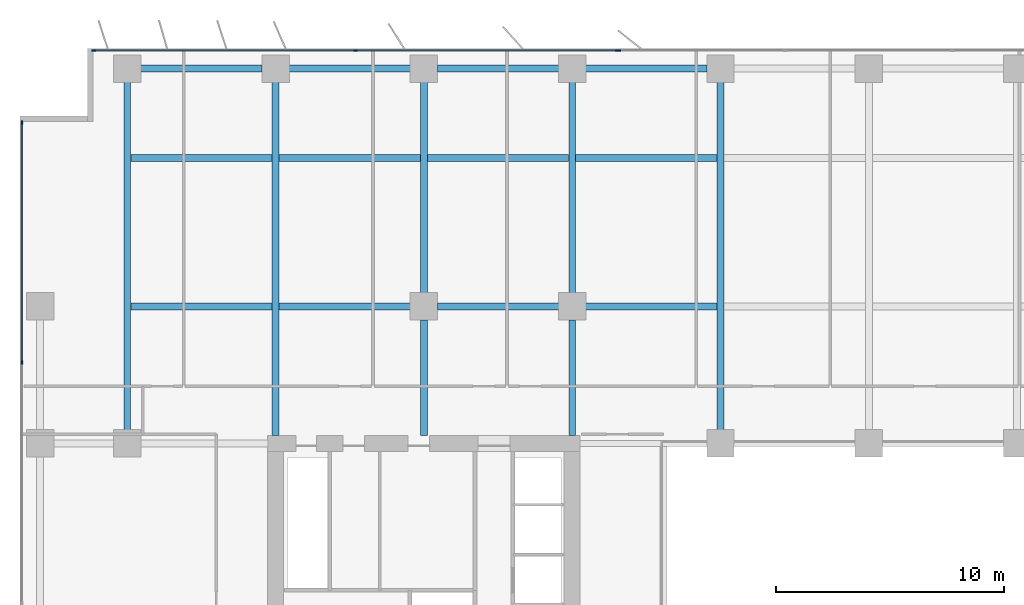
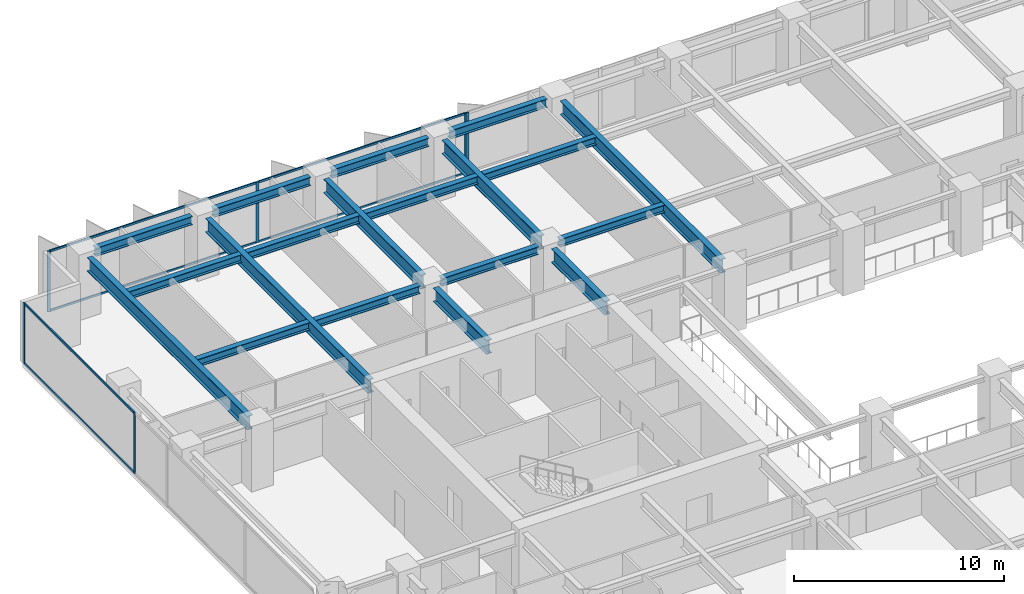
# One storey, part 7 of 20: 19 beams, 12 members, 3 elements without a shape of their own.
"""IFC4 building model written with IfcOpenShell, lengths in metres."""

from ifc_helpers import new_model, si_unit, direction, frame, origin, origin_2d, place, context, subcontext, project, spatial, rectangle, i_section, extrude, material, layer, layer_set, material_profile, profile_set, type_object, element, aggregate, save


model = new_model("IFC4")

# Units and contexts
model_context = context("Model", 3, precision=1e-05, world=origin(), true_north=direction((0.0, 1.0)))
body_context = subcontext(model_context, "Body", "Model", "MODEL_VIEW")
ifc_project = project(units=[si_unit("LENGTHUNIT", "METRE"), si_unit("AREAUNIT", "SQUARE_METRE"), si_unit("VOLUMEUNIT", "CUBIC_METRE"), si_unit("PLANEANGLEUNIT", "RADIAN"), si_unit("MASSUNIT", "GRAM", prefix="KILO")], contexts=[model_context])

# Site, building, storey
site_placement = place(None, origin())
site = spatial("IfcSite", under=ifc_project, at=site_placement, CompositionType="ELEMENT")
building_placement = place(site_placement, origin())
building = spatial("IfcBuilding", under=site, at=building_placement, Name="Putna Gate Headquarters", CompositionType="ELEMENT")
storey_placement = place(building_placement, frame((0.0, 0.0, 135.39990234375)))
storey = spatial("IfcBuildingStorey", under=building, at=storey_placement, Name="L33", CompositionType="ELEMENT", Elevation=135.39990234375)

# Beams
ifc_material_1 = material(Name="Steel S355J2", Category="steel")
ifc_material_profile_1 = material_profile(ifc_material_1, i_section(OverallWidth=0.300048828125, OverallDepth=0.800048828125, WebThickness=0.017578125, FlangeThickness=0.032958984375, at=origin_2d()), Name="Steel S355J2")
ifc_profile_set_1 = profile_set([ifc_material_profile_1], Name="Steel S355J2")
beam_type_1 = type_object("IfcBeamType", Name="BM-GIRD-P-HEB800", PredefinedType="USERDEFINED", material=ifc_profile_set_1)
beam_1_placement = place(storey_placement, frame((6.5, 33.587890625, 3.1201171875), z_axis=(0.0, 1.0, 0.0), x_axis=(-1.0, 0.0, 0.0)))
element("IfcBeam", 1, at=beam_1_placement, inside=storey, type_object=beam_type_1, Name="L33 North Primary Girder X6", ObjectType="GIRDER", PredefinedType="USERDEFINED", context=body_context, shape_type="SweptSolid", body=[
    extrude(i_section(OverallWidth=0.300048828125, OverallDepth=0.800048828125, WebThickness=0.017578125, FlangeThickness=0.032958984375, at=origin_2d()), origin(), (0.0, 0.0, 1.0), 15.244140625),
])
beam_2_placement = place(storey_placement, frame((13.0, 33.3349609375, 3.1201171875), z_axis=(0.0, 1.0, 0.0), x_axis=(-1.0, 0.0, 0.0)))
element("IfcBeam", 2, at=beam_2_placement, inside=storey, type_object=beam_type_1, Name="L33 North Primary Girder X13", ObjectType="GIRDER", PredefinedType="USERDEFINED", context=body_context, shape_type="SweptSolid", body=[
    extrude(i_section(OverallWidth=0.300048828125, OverallDepth=0.800048828125, WebThickness=0.017578125, FlangeThickness=0.032958984375, at=origin_2d()), origin(), (0.0, 0.0, 1.0), 15.4970703125),
])
beam_3_placement = place(storey_placement, frame((19.5, 33.3349609375, 3.1201171875), z_axis=(0.0, 1.0, 0.0), x_axis=(-1.0, 0.0, 0.0)))
element("IfcBeam", 3, at=beam_3_placement, inside=storey, type_object=beam_type_1, Name="L33 North Primary Girder X19-1", ObjectType="GIRDER", PredefinedType="USERDEFINED", context=body_context, shape_type="SweptSolid", body=[
    extrude(i_section(OverallWidth=0.300048828125, OverallDepth=0.800048828125, WebThickness=0.017578125, FlangeThickness=0.032958984375, at=origin_2d()), origin(), (0.0, 0.0, 1.0), 5.0771484375),
])
beam_4_placement = place(storey_placement, frame((19.5, 39.587890625, 3.1201171875), z_axis=(0.0, 1.0, 0.0), x_axis=(-1.0, 0.0, 0.0)))
element("IfcBeam", 4, at=beam_4_placement, inside=storey, type_object=beam_type_1, Name="L33 North Primary Girder X19-2", ObjectType="GIRDER", PredefinedType="USERDEFINED", context=body_context, shape_type="SweptSolid", body=[
    extrude(i_section(OverallWidth=0.300048828125, OverallDepth=0.800048828125, WebThickness=0.017578125, FlangeThickness=0.032958984375, at=origin_2d()), origin(), (0.0, 0.0, 1.0), 9.244140625),
])
beam_5_placement = place(storey_placement, frame((26.0, 33.3349609375, 3.1201171875), z_axis=(0.0, 1.0, 0.0), x_axis=(-1.0, 0.0, 0.0)))
element("IfcBeam", 5, at=beam_5_placement, inside=storey, type_object=beam_type_1, Name="L33 North Primary Girder X26-1", ObjectType="GIRDER", PredefinedType="USERDEFINED", context=body_context, shape_type="SweptSolid", body=[
    extrude(i_section(OverallWidth=0.300048828125, OverallDepth=0.800048828125, WebThickness=0.017578125, FlangeThickness=0.032958984375, at=origin_2d()), origin(), (0.0, 0.0, 1.0), 5.0771484375),
])
beam_6_placement = place(storey_placement, frame((26.0, 39.587890625, 3.1201171875), z_axis=(0.0, 1.0, 0.0), x_axis=(-1.0, 0.0, 0.0)))
element("IfcBeam", 6, at=beam_6_placement, inside=storey, type_object=beam_type_1, Name="L33 North Primary Girder X26-2", ObjectType="GIRDER", PredefinedType="USERDEFINED", context=body_context, shape_type="SweptSolid", body=[
    extrude(i_section(OverallWidth=0.300048828125, OverallDepth=0.800048828125, WebThickness=0.017578125, FlangeThickness=0.032958984375, at=origin_2d()), origin(), (0.0, 0.0, 1.0), 9.244140625),
])
beam_7_placement = place(storey_placement, frame((32.5, 33.587890625, 3.1201171875), z_axis=(0.0, 1.0, 0.0), x_axis=(-1.0, 0.0, 0.0)))
element("IfcBeam", 7, at=beam_7_placement, inside=storey, type_object=beam_type_1, Name="L33 North Primary Girder X32", ObjectType="GIRDER", PredefinedType="USERDEFINED", context=body_context, shape_type="SweptSolid", body=[
    extrude(i_section(OverallWidth=0.300048828125, OverallDepth=0.800048828125, WebThickness=0.017578125, FlangeThickness=0.032958984375, at=origin_2d()), origin(), (0.0, 0.0, 1.0), 15.244140625),
])
ifc_material_profile_2 = material_profile(ifc_material_1, i_section(OverallWidth=0.300048828125, OverallDepth=0.449951171875, WebThickness=0.013916015625, FlangeThickness=0.02587890625, at=origin_2d()), Name="Steel S355J2")
ifc_profile_set_2 = profile_set([ifc_material_profile_2], Name="Steel S355J2")
beam_type_2 = type_object("IfcBeamType", Name="BM-GIRD-Z5-HEB450", PredefinedType="USERDEFINED", material=ifc_profile_set_2)
for number, where, z_axis, x_axis, name in (
    (8, (6.654052734375, 39.0, 3.295166015625), (1.0, 0.0, 0.0), (0.0, 1.0, 0.0), "L33 North Secondary Beam 1"),
    (9, (6.654052734375, 45.5, 3.295166015625), (1.0, 0.0, 0.0), (0.0, 1.0, 0.0), "L33 North Secondary Beam 1"),
):
    element("IfcBeam", number, at=place(storey_placement, frame(where, z_axis=z_axis, x_axis=x_axis)), inside=storey, type_object=beam_type_2, Name=name, ObjectType="GIRDER", PredefinedType="USERDEFINED", context=body_context, shape_type="SweptSolid", body=[
        extrude(i_section(OverallWidth=0.300048828125, OverallDepth=0.449951171875, WebThickness=0.013916015625, FlangeThickness=0.02587890625, at=origin_2d()), origin(), (0.0, 0.0, 1.0), 6.19189453125),
    ])
beam_8_placement = place(storey_placement, frame((13.154052734375, 39.0, 3.295166015625), z_axis=(1.0, 0.0, 0.0), x_axis=(0.0, 1.0, 0.0)))
element("IfcBeam", 10, at=beam_8_placement, inside=storey, type_object=beam_type_2, Name="L33 North Secondary Beam 2", ObjectType="GIRDER", PredefinedType="USERDEFINED", context=body_context, shape_type="SweptSolid", body=[
    extrude(i_section(OverallWidth=0.300048828125, OverallDepth=0.449951171875, WebThickness=0.013916015625, FlangeThickness=0.02587890625, at=origin_2d()), origin(), (0.0, 0.0, 1.0), 5.758056640625),
])
beam_9_placement = place(storey_placement, frame((13.154052734375, 45.5, 3.295166015625), z_axis=(1.0, 0.0, 0.0), x_axis=(0.0, 1.0, 0.0)))
element("IfcBeam", 11, at=beam_9_placement, inside=storey, type_object=beam_type_2, Name="L33 North Secondary Beam 2", ObjectType="GIRDER", PredefinedType="USERDEFINED", context=body_context, shape_type="SweptSolid", body=[
    extrude(i_section(OverallWidth=0.300048828125, OverallDepth=0.449951171875, WebThickness=0.013916015625, FlangeThickness=0.02587890625, at=origin_2d()), origin(), (0.0, 0.0, 1.0), 6.19189453125),
])
beam_10_placement = place(storey_placement, frame((20.087890625, 39.0, 3.295166015625), z_axis=(1.0, 0.0, 0.0), x_axis=(0.0, 1.0, 0.0)))
element("IfcBeam", 12, at=beam_10_placement, inside=storey, type_object=beam_type_2, Name="L33 North Secondary Beam 3", ObjectType="GIRDER", PredefinedType="USERDEFINED", context=body_context, shape_type="SweptSolid", body=[
    extrude(i_section(OverallWidth=0.300048828125, OverallDepth=0.449951171875, WebThickness=0.013916015625, FlangeThickness=0.02587890625, at=origin_2d()), origin(), (0.0, 0.0, 1.0), 5.32421875),
])
beam_11_placement = place(storey_placement, frame((19.654052734375, 45.5, 3.295166015625), z_axis=(1.0, 0.0, 0.0), x_axis=(0.0, 1.0, 0.0)))
element("IfcBeam", 13, at=beam_11_placement, inside=storey, type_object=beam_type_2, Name="L33 North Secondary Beam 3", ObjectType="GIRDER", PredefinedType="USERDEFINED", context=body_context, shape_type="SweptSolid", body=[
    extrude(i_section(OverallWidth=0.300048828125, OverallDepth=0.449951171875, WebThickness=0.013916015625, FlangeThickness=0.02587890625, at=origin_2d()), origin(), (0.0, 0.0, 1.0), 6.19189453125),
])
beam_12_placement = place(storey_placement, frame((26.587890625, 39.0, 3.295166015625), z_axis=(1.0, 0.0, 0.0), x_axis=(0.0, 1.0, 0.0)))
element("IfcBeam", 14, at=beam_12_placement, inside=storey, type_object=beam_type_2, Name="L33 North Secondary Beam 4", ObjectType="GIRDER", PredefinedType="USERDEFINED", context=body_context, shape_type="SweptSolid", body=[
    extrude(i_section(OverallWidth=0.300048828125, OverallDepth=0.449951171875, WebThickness=0.013916015625, FlangeThickness=0.02587890625, at=origin_2d()), origin(), (0.0, 0.0, 1.0), 5.758056640625),
])
beam_13_placement = place(storey_placement, frame((26.154052734375, 45.5, 3.295166015625), z_axis=(1.0, 0.0, 0.0), x_axis=(0.0, 1.0, 0.0)))
element("IfcBeam", 15, at=beam_13_placement, inside=storey, type_object=beam_type_2, Name="L33 North Secondary Beam 4", ObjectType="GIRDER", PredefinedType="USERDEFINED", context=body_context, shape_type="SweptSolid", body=[
    extrude(i_section(OverallWidth=0.300048828125, OverallDepth=0.449951171875, WebThickness=0.013916015625, FlangeThickness=0.02587890625, at=origin_2d()), origin(), (0.0, 0.0, 1.0), 6.19189453125),
])
ifc_material_profile_3 = material_profile(ifc_material_1, i_section(OverallWidth=0.300048828125, OverallDepth=0.489990234375, WebThickness=0.011962890625, FlangeThickness=0.02294921875, at=origin_2d()), Name="Steel S355J2")
ifc_profile_set_3 = profile_set([ifc_material_profile_3], Name="Steel S355J2")
beam_type_3 = type_object("IfcBeamType", Name="BM-SPAN-Z2-HEA500", PredefinedType="SPANDREL", material=ifc_profile_set_3)
for number, where, z_axis, x_axis, name in (
    (16, (7.087890625, 49.419921875, 3.275146484375), (1.0, 0.0, 0.0), (0.0, 1.0, 0.0), "L33 N Perimeter Spandrel 1"),
    (17, (13.587890625, 49.419921875, 3.275146484375), (1.0, 0.0, 0.0), (0.0, 1.0, 0.0), "L33 N Perimeter Spandrel 2"),
    (18, (20.087890625, 49.419921875, 3.275146484375), (1.0, 0.0, 0.0), (0.0, 1.0, 0.0), "L33 N Perimeter Spandrel 3"),
    (19, (26.587890625, 49.419921875, 3.275146484375), (1.0, 0.0, 0.0), (0.0, 1.0, 0.0), "L33 N Perimeter Spandrel 4"),
):
    element("IfcBeam", number, at=place(storey_placement, frame(where, z_axis=z_axis, x_axis=x_axis)), inside=storey, type_object=beam_type_3, Name=name, PredefinedType="SPANDREL", context=body_context, shape_type="SweptSolid", body=[
        extrude(i_section(OverallWidth=0.300048828125, OverallDepth=0.489990234375, WebThickness=0.011962890625, FlangeThickness=0.02294921875, at=origin_2d()), origin(), (0.0, 0.0, 1.0), 5.32421875),
    ])

# Curtain wall, members
ifc_material_2 = material(Name="Anodised bronze aluminium curtain wall", Category="aluminium")
ifc_layer_1 = layer(ifc_material_2, 0.159912109375)
ifc_layer_set_1 = layer_set([ifc_layer_1], Name="Anodised bronze aluminium curtain wall")
curtain_wall_type_1 = type_object("IfcCurtainWallType", Name="CW-SYS-Z2", PredefinedType="USERDEFINED", material=ifc_layer_set_1)
curtain_wall_1_placement = place(storey_placement, origin())
curtain_wall_1 = element("IfcCurtainWall", 20, at=curtain_wall_1_placement, inside=storey, type_object=curtain_wall_type_1, Name="L33 North West Curtain Wall", ObjectType="STICK CURTAIN WALL", PredefinedType="USERDEFINED")
ifc_material_3 = material(Name="Anodised bronze aluminium EN AW-6060", Category="aluminium")
ifc_material_profile_4 = material_profile(ifc_material_3, rectangle(XDim=0.06494140625, YDim=0.159912109375, at=origin_2d()), Name="Anodised bronze aluminium EN AW-6060")
ifc_profile_set_4 = profile_set([ifc_material_profile_4], Name="Anodised bronze aluminium EN AW-6060")
member_type_1 = type_object("IfcMemberType", Name="MULL-CWM-2", PredefinedType="MULLION", material=ifc_profile_set_4)
member_1_placement = place(storey_placement, frame((5.032470703125, 50.219970703125, 0.0), z_axis=(0.0, 0.0, 1.0), x_axis=(0.0, 1.0, 0.0)))
member_1 = element("IfcMember", 21, at=member_1_placement, type_object=member_type_1, Name="CWS-2 mullion 1", PredefinedType="MULLION", context=body_context, shape_type="SweptSolid", body=[
    extrude(rectangle(XDim=0.06494140625, YDim=0.159912109375, at=origin_2d()), origin(), (0.0, 0.0, 1.0), 3.52001953125),
])
member_2_placement = place(storey_placement, frame((16.5, 50.219970703125, 0.0), z_axis=(0.0, 0.0, 1.0), x_axis=(0.0, 1.0, 0.0)))
member_2 = element("IfcMember", 22, at=member_2_placement, type_object=member_type_1, Name="CWS-2 mullion 2", PredefinedType="MULLION", context=body_context, shape_type="SweptSolid", body=[
    extrude(rectangle(XDim=0.06494140625, YDim=0.159912109375, at=origin_2d()), origin(), (0.0, 0.0, 1.0), 3.52001953125),
])
member_3_placement = place(storey_placement, frame((27.967529296875, 50.219970703125, 0.0), z_axis=(0.0, 0.0, 1.0), x_axis=(0.0, 1.0, 0.0)))
member_3 = element("IfcMember", 23, at=member_3_placement, type_object=member_type_1, Name="CWS-2 mullion 3", PredefinedType="MULLION", context=body_context, shape_type="SweptSolid", body=[
    extrude(rectangle(XDim=0.06494140625, YDim=0.159912109375, at=origin_2d()), origin(), (0.0, 0.0, 1.0), 3.52001953125),
])

curtain_wall_2_placement = place(storey_placement, origin())
curtain_wall_2 = element("IfcCurtainWall", 24, at=curtain_wall_2_placement, inside=storey, type_object=curtain_wall_type_1, Name="L33 West Curtain Wall", ObjectType="STICK CURTAIN WALL", PredefinedType="USERDEFINED")
member_4_placement = place(storey_placement, frame((1.8798828125, 36.550048828125, 0.0), z_axis=(0.0, 0.0, 1.0), x_axis=(-1.0, 0.0, 0.0)))
member_4 = element("IfcMember", 25, at=member_4_placement, type_object=member_type_1, Name="CWS-2 mullion 4", PredefinedType="MULLION", context=body_context, shape_type="SweptSolid", body=[
    extrude(rectangle(XDim=0.06494140625, YDim=0.159912109375, at=origin_2d()), origin(), (0.0, 0.0, 1.0), 3.52001953125),
])
member_5_placement = place(storey_placement, frame((1.8798828125, 47.0673828125, 0.0), z_axis=(0.0, 0.0, 1.0), x_axis=(-1.0, 0.0, 0.0)))
member_5 = element("IfcMember", 26, at=member_5_placement, type_object=member_type_1, Name="CWS-2 mullion 5", PredefinedType="MULLION", context=body_context, shape_type="SweptSolid", body=[
    extrude(rectangle(XDim=0.06494140625, YDim=0.159912109375, at=origin_2d()), origin(), (0.0, 0.0, 1.0), 3.52001953125),
])

# Curtain wall, member
ifc_layer_2 = layer(ifc_material_2, 0.179931640625)
ifc_layer_set_2 = layer_set([ifc_layer_2], Name="Anodised bronze aluminium curtain wall")
curtain_wall_type_2 = type_object("IfcCurtainWallType", Name="CW-SYS-ATR", PredefinedType="USERDEFINED", material=ifc_layer_set_2)
curtain_wall_3_placement = place(storey_placement, origin())
curtain_wall_3 = element("IfcCurtainWall", 27, at=curtain_wall_3_placement, inside=storey, type_object=curtain_wall_type_2, Name="L33 North Atrium Clear Glazing", ObjectType="ATRIUM GLAZING", PredefinedType="USERDEFINED")
ifc_material_profile_5 = material_profile(ifc_material_3, rectangle(XDim=0.070068359375, YDim=0.179931640625, at=origin_2d()), Name="Anodised bronze aluminium EN AW-6060")
ifc_profile_set_5 = profile_set([ifc_material_profile_5], Name="Anodised bronze aluminium EN AW-6060")
member_type_2 = type_object("IfcMemberType", Name="MULL-CWM-AT", PredefinedType="MULLION", material=ifc_profile_set_5)
member_6_placement = place(storey_placement, frame((28.034912109375, 50.219970703125, 0.0), z_axis=(0.0, 0.0, 1.0), x_axis=(0.0, 1.0, 0.0)))
member_6 = element("IfcMember", 28, at=member_6_placement, type_object=member_type_2, Name="CWS-AT mullion 1", PredefinedType="MULLION", context=body_context, shape_type="SweptSolid", body=[
    extrude(rectangle(XDim=0.070068359375, YDim=0.179931640625, at=origin_2d()), origin(), (0.0, 0.0, 1.0), 3.52001953125),
])
aggregate(curtain_wall_3, [member_6])

# Member
ifc_material_profile_6 = material_profile(ifc_material_3, rectangle(XDim=0.06494140625, YDim=0.1201171875, at=origin_2d()), Name="Anodised bronze aluminium EN AW-6060")
ifc_profile_set_6 = profile_set([ifc_material_profile_6], Name="Anodised bronze aluminium EN AW-6060")
member_type_3 = type_object("IfcMemberType", Name="TRAN-CWT-2", PredefinedType="USERDEFINED", material=ifc_profile_set_6)
member_7_placement = place(storey_placement, frame((5.06494140625, 50.219970703125, 0.03271484375), z_axis=(1.0, 0.0, 0.0), x_axis=(0.0, 1.0, 0.0)))
member_7 = element("IfcMember", 29, at=member_7_placement, type_object=member_type_3, Name="CWS-2 transom 1.1", ObjectType="TRANSOM", PredefinedType="USERDEFINED", context=body_context, shape_type="SweptSolid", body=[
    extrude(rectangle(XDim=0.06494140625, YDim=0.1201171875, at=origin_2d()), origin(), (0.0, 0.0, 1.0), 11.402587890625),
])

member_8_placement = place(storey_placement, frame((5.06494140625, 50.219970703125, 3.487548828125), z_axis=(1.0, 0.0, 0.0), x_axis=(0.0, 1.0, 0.0)))
member_8 = element("IfcMember", 30, at=member_8_placement, type_object=member_type_3, Name="CWS-2 transom 1.2", ObjectType="TRANSOM", PredefinedType="USERDEFINED", context=body_context, shape_type="SweptSolid", body=[
    extrude(rectangle(XDim=0.06494140625, YDim=0.1201171875, at=origin_2d()), origin(), (0.0, 0.0, 1.0), 11.402587890625),
])

member_9_placement = place(storey_placement, frame((16.532470703125, 50.219970703125, 0.03271484375), z_axis=(1.0, 0.0, 0.0), x_axis=(0.0, 1.0, 0.0)))
member_9 = element("IfcMember", 31, at=member_9_placement, type_object=member_type_3, Name="CWS-2 transom 2.1", ObjectType="TRANSOM", PredefinedType="USERDEFINED", context=body_context, shape_type="SweptSolid", body=[
    extrude(rectangle(XDim=0.06494140625, YDim=0.1201171875, at=origin_2d()), origin(), (0.0, 0.0, 1.0), 11.402587890625),
])

member_10_placement = place(storey_placement, frame((16.532470703125, 50.219970703125, 3.487548828125), z_axis=(1.0, 0.0, 0.0), x_axis=(0.0, 1.0, 0.0)))
member_10 = element("IfcMember", 32, at=member_10_placement, type_object=member_type_3, Name="CWS-2 transom 2.2", ObjectType="TRANSOM", PredefinedType="USERDEFINED", context=body_context, shape_type="SweptSolid", body=[
    extrude(rectangle(XDim=0.06494140625, YDim=0.1201171875, at=origin_2d()), origin(), (0.0, 0.0, 1.0), 11.402587890625),
])

aggregate(curtain_wall_1, [member_1, member_2, member_3, member_7, member_8, member_9, member_10])

member_11_placement = place(storey_placement, frame((1.8798828125, 36.58251953125, 0.03271484375), z_axis=(0.0, 1.0, 0.0), x_axis=(-1.0, 0.0, 0.0)))
member_11 = element("IfcMember", 33, at=member_11_placement, type_object=member_type_3, Name="CWS-2 transom 4.1", ObjectType="TRANSOM", PredefinedType="USERDEFINED", context=body_context, shape_type="SweptSolid", body=[
    extrude(rectangle(XDim=0.06494140625, YDim=0.1201171875, at=origin_2d()), origin(), (0.0, 0.0, 1.0), 10.452392578125),
])

member_12_placement = place(storey_placement, frame((1.8798828125, 36.58251953125, 3.487548828125), z_axis=(0.0, 1.0, 0.0), x_axis=(-1.0, 0.0, 0.0)))
member_12 = element("IfcMember", 34, at=member_12_placement, type_object=member_type_3, Name="CWS-2 transom 4.2", ObjectType="TRANSOM", PredefinedType="USERDEFINED", context=body_context, shape_type="SweptSolid", body=[
    extrude(rectangle(XDim=0.06494140625, YDim=0.1201171875, at=origin_2d()), origin(), (0.0, 0.0, 1.0), 10.452392578125),
])

aggregate(curtain_wall_2, [member_4, member_5, member_11, member_12])

save(model, "model.ifc")
